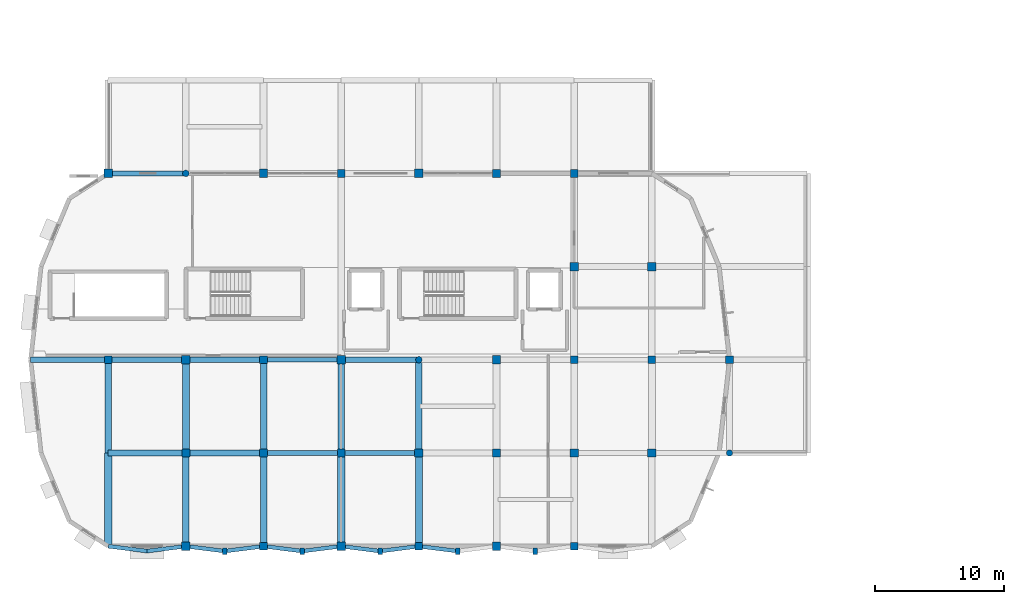
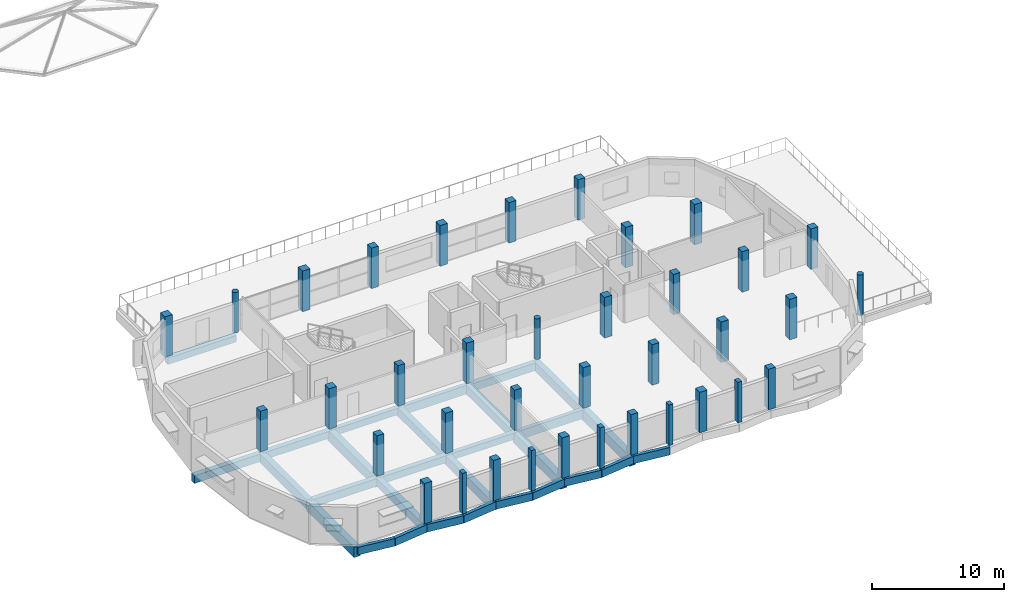
# One storey, part 1 of 19: 37 columns, 29 beams.
"""IFC4 building model written with IfcOpenShell, lengths in metres."""

from ifc_helpers import new_model, si_unit, direction, frame, origin, origin_2d, place, context, subcontext, project, spatial, rectangle, circle, extrude, material, material_profile, profile_set, type_object, element, save


model = new_model("IFC4")

# Units and contexts
model_context = context("Model", 3, precision=1e-05, world=origin(), true_north=direction((0.0, 1.0)))
body_context = subcontext(model_context, "Body", "Model", "MODEL_VIEW")
ifc_project = project(units=[si_unit("LENGTHUNIT", "METRE"), si_unit("AREAUNIT", "SQUARE_METRE"), si_unit("VOLUMEUNIT", "CUBIC_METRE"), si_unit("PLANEANGLEUNIT", "RADIAN"), si_unit("MASSUNIT", "GRAM", prefix="KILO")], contexts=[model_context])

# Site, building, storey
site_placement = place(None, origin())
site = spatial("IfcSite", under=ifc_project, at=site_placement, CompositionType="ELEMENT")
building_placement = place(site_placement, origin())
building = spatial("IfcBuilding", under=site, at=building_placement, Name="Dunvalen Ferry Terminal", CompositionType="ELEMENT")
storey_placement = place(building_placement, frame((0.0, 0.0, 13.580078125)))
storey = spatial("IfcBuildingStorey", under=building, at=storey_placement, Name="L03", CompositionType="ELEMENT", Elevation=13.580078125)

# Columns
ifc_material_1 = material(Name="Concrete C35/45", Category="concrete")
ifc_material_profile_1 = material_profile(ifc_material_1, circle(Radius=0.25, at=origin_2d()), Name="Concrete C35/45")
ifc_profile_set_1 = profile_set([ifc_material_profile_1], Name="Concrete C35/45")
column_type_1 = type_object("IfcColumnType", Name="STR-COL-D500", PredefinedType="COLUMN", material=ifc_profile_set_1)
for number, where, z_axis, x_axis, name in (
    (1, (24.0, 28.800048828125, 0.0), (0.0, 0.0, 1.0), (1.0, 0.0, 0.0), "L03 Maritime Wing Column 021"),
    (2, (42.0, 14.39990234375, 0.0), (0.0, 0.0, 1.0), (1.0, 0.0, 0.0), "L03 Maritime Wing Column 035"),
    (3, (66.0, 7.199951171875, 0.0), (0.0, 0.0, 1.0), (1.0, 0.0, 0.0), "L03 Maritime Wing Column 056"),
):
    element("IfcColumn", number, at=place(storey_placement, frame(where, z_axis=z_axis, x_axis=x_axis)), inside=storey, type_object=column_type_1, Name=name, PredefinedType="COLUMN", context=body_context, shape_type="SweptSolid", body=[
        extrude(circle(Radius=0.25, at=origin_2d()), origin(), (0.0, 0.0, 1.0), 3.739990234375),
    ])
ifc_material_2 = material(Name="Concrete C40/50", Category="concrete")
ifc_material_profile_2 = material_profile(ifc_material_2, rectangle(XDim=0.60009765625, YDim=0.60009765625, at=origin_2d()), Name="Concrete C40/50")
ifc_profile_set_2 = profile_set([ifc_material_profile_2], Name="Concrete C40/50")
column_type_2 = type_object("IfcColumnType", Name="STR-COL-RC600", PredefinedType="COLUMN", material=ifc_profile_set_2)
for number, where, z_axis, x_axis, name in (
    (4, (18.0, 14.39990234375, 0.0), (0.0, 0.0, 1.0), (1.0, 0.0, 0.0), "L03 Maritime Wing Column 015"),
    (5, (24.0, 7.199951171875, 0.0), (0.0, 0.0, 1.0), (1.0, 0.0, 0.0), "L03 Maritime Wing Column 019"),
    (6, (30.0, 0.0, 0.0), (0.0, 0.0, 1.0), (1.0, 0.0, 0.0), "L03 Maritime Wing Column 023"),
    (7, (30.0, 14.39990234375, 0.0), (0.0, 0.0, 1.0), (1.0, 0.0, 0.0), "L03 Maritime Wing Column 025"),
    (8, (36.0, 7.199951171875, 0.0), (0.0, 0.0, 1.0), (1.0, 0.0, 0.0), "L03 Maritime Wing Column 029"),
    (9, (36.0, 28.800048828125, 0.0), (0.0, 0.0, 1.0), (1.0, 0.0, 0.0), "L03 Maritime Wing Column 031"),
    (10, (42.0, 0.0, 0.0), (0.0, 0.0, 1.0), (1.0, 0.0, 0.0), "L03 Maritime Wing Column 033"),
    (11, (48.0, 7.199951171875, 0.0), (0.0, 0.0, 1.0), (1.0, 0.0, 0.0), "L03 Maritime Wing Column 039"),
    (12, (48.0, 28.800048828125, 0.0), (0.0, 0.0, 1.0), (1.0, 0.0, 0.0), "L03 Maritime Wing Column 041"),
    (13, (54.0, 0.0, 0.0), (0.0, 0.0, 1.0), (1.0, 0.0, 0.0), "L03 Maritime Wing Column 043"),
    (14, (54.0, 14.39990234375, 0.0), (0.0, 0.0, 1.0), (1.0, 0.0, 0.0), "L03 Maritime Wing Column 045"),
    (15, (54.0, 28.800048828125, 0.0), (0.0, 0.0, 1.0), (1.0, 0.0, 0.0), "L03 Maritime Wing Column 047"),
    (16, (60.0, 14.39990234375, 0.0), (0.0, 0.0, 1.0), (1.0, 0.0, 0.0), "L03 Maritime Wing Column 051"),
    (17, (66.0, 14.39990234375, 0.0), (0.0, 0.0, 1.0), (1.0, 0.0, 0.0), "L03 Maritime Wing Column 057"),
):
    element("IfcColumn", number, at=place(storey_placement, frame(where, z_axis=z_axis, x_axis=x_axis)), inside=storey, type_object=column_type_2, Name=name, PredefinedType="COLUMN", context=body_context, shape_type="SweptSolid", body=[
        extrude(rectangle(XDim=0.60009765625, YDim=0.60009765625, at=origin_2d()), origin(), (0.0, 0.0, 1.0), 3.739990234375),
    ])
ifc_material_profile_3 = material_profile(ifc_material_2, rectangle(XDim=0.64990234375, YDim=0.64990234375, at=origin_2d()), Name="Concrete C40/50")
ifc_profile_set_3 = profile_set([ifc_material_profile_3], Name="Concrete C40/50")
column_type_3 = type_object("IfcColumnType", Name="STR-COL-RC650", PredefinedType="COLUMN", material=ifc_profile_set_3)
for number, where, z_axis, x_axis, name in (
    (18, (18.0, 28.800048828125, 0.0), (0.0, 0.0, 1.0), (1.0, 0.0, 0.0), "L03 Maritime Wing Column 016"),
    (19, (24.0, 0.0, 0.0), (0.0, 0.0, 1.0), (1.0, 0.0, 0.0), "L03 Maritime Wing Column 018"),
    (20, (24.0, 14.39990234375, 0.0), (0.0, 0.0, 1.0), (1.0, 0.0, 0.0), "L03 Maritime Wing Column 020"),
    (21, (30.0, 7.199951171875, 0.0), (0.0, 0.0, 1.0), (1.0, 0.0, 0.0), "L03 Maritime Wing Column 024"),
    (22, (30.0, 28.800048828125, 0.0), (0.0, 0.0, 1.0), (1.0, 0.0, 0.0), "L03 Maritime Wing Column 026"),
    (23, (36.0, 0.0, 0.0), (0.0, 0.0, 1.0), (1.0, 0.0, 0.0), "L03 Maritime Wing Column 028"),
    (24, (36.0, 14.39990234375, 0.0), (0.0, 0.0, 1.0), (1.0, 0.0, 0.0), "L03 Maritime Wing Column 030"),
    (25, (42.0, 7.199951171875, 0.0), (0.0, 0.0, 1.0), (1.0, 0.0, 0.0), "L03 Maritime Wing Column 034"),
    (26, (42.0, 28.800048828125, 0.0), (0.0, 0.0, 1.0), (1.0, 0.0, 0.0), "L03 Maritime Wing Column 036"),
    (27, (48.0, 0.0, 0.0), (0.0, 0.0, 1.0), (1.0, 0.0, 0.0), "L03 Maritime Wing Column 038"),
    (28, (48.0, 14.39990234375, 0.0), (0.0, 0.0, 1.0), (1.0, 0.0, 0.0), "L03 Maritime Wing Column 040"),
    (29, (54.0, 7.199951171875, 0.0), (0.0, 0.0, 1.0), (1.0, 0.0, 0.0), "L03 Maritime Wing Column 044"),
    (30, (54.0, 21.60009765625, 0.0), (0.0, 0.0, 1.0), (1.0, 0.0, 0.0), "L03 Maritime Wing Column 046"),
    (31, (60.0, 7.199951171875, 0.0), (0.0, 0.0, 1.0), (1.0, 0.0, 0.0), "L03 Maritime Wing Column 050"),
    (32, (60.0, 21.60009765625, 0.0), (0.0, 0.0, 1.0), (1.0, 0.0, 0.0), "L03 Maritime Wing Column 052"),
):
    element("IfcColumn", number, at=place(storey_placement, frame(where, z_axis=z_axis, x_axis=x_axis)), inside=storey, type_object=column_type_3, Name=name, PredefinedType="COLUMN", context=body_context, shape_type="SweptSolid", body=[
        extrude(rectangle(XDim=0.64990234375, YDim=0.64990234375, at=origin_2d()), origin(), (0.0, 0.0, 1.0), 3.739990234375),
    ])
ifc_material_profile_4 = material_profile(ifc_material_2, rectangle(XDim=0.35009765625, YDim=0.5, at=origin_2d()), Name="Concrete C40/50")
ifc_profile_set_4 = profile_set([ifc_material_profile_4], Name="Concrete C40/50")
column_type_4 = type_object("IfcColumnType", Name="STR-PIL-350x500", PredefinedType="PILASTER", material=ifc_profile_set_4)
for number, where, z_axis, x_axis, name in (
    (33, (27.0, -0.3798828125, 0.0), (0.0, 0.0, 1.0), (1.0, 0.0, 0.0), "L03 South Forecourt Pilaster 01"),
    (34, (33.0, -0.3798828125, 0.0), (0.0, 0.0, 1.0), (1.0, 0.0, 0.0), "L03 South Forecourt Pilaster 02"),
    (35, (39.0, -0.3798828125, 0.0), (0.0, 0.0, 1.0), (1.0, 0.0, 0.0), "L03 South Forecourt Pilaster 03"),
    (36, (45.0, -0.3798828125, 0.0), (0.0, 0.0, 1.0), (1.0, 0.0, 0.0), "L03 South Forecourt Pilaster 04"),
    (37, (51.0, -0.3798828125, 0.0), (0.0, 0.0, 1.0), (1.0, 0.0, 0.0), "L03 South Forecourt Pilaster 05"),
):
    element("IfcColumn", number, at=place(storey_placement, frame(where, z_axis=z_axis, x_axis=x_axis)), inside=storey, type_object=column_type_4, Name=name, PredefinedType="PILASTER", context=body_context, shape_type="SweptSolid", body=[
        extrude(rectangle(XDim=0.35009765625, YDim=0.5, at=origin_2d()), origin(), (0.0, 0.0, 1.0), 3.739990234375),
    ])

# Beams
ifc_material_profile_5 = material_profile(ifc_material_1, rectangle(XDim=0.39990234375, YDim=0.60009765625, at=origin_2d()), Name="Concrete C35/45")
ifc_profile_set_5 = profile_set([ifc_material_profile_5], Name="Concrete C35/45")
beam_type_1 = type_object("IfcBeamType", Name="STR-BM-RCB600", PredefinedType="BEAM", material=ifc_profile_set_5)
for number, where, z_axis, x_axis, name in (
    (38, (30.0, 7.199951171875, -0.56005859375), (1.0, 0.0, 0.0), (0.0, 1.0, 0.0), "L03 V5P0 Primary Beam X-010"),
    (39, (24.0, 14.39990234375, -0.56005859375), (1.0, 0.0, 0.0), (0.0, 1.0, 0.0), "L03 V5P0 Primary Beam X-018"),
    (40, (18.0, 28.800048828125, -0.56005859375), (1.0, 0.0, 0.0), (0.0, 1.0, 0.0), "L03 V5P0 Primary Beam X-026"),
):
    element("IfcBeam", number, at=place(storey_placement, frame(where, z_axis=z_axis, x_axis=x_axis)), inside=storey, type_object=beam_type_1, Name=name, PredefinedType="BEAM", context=body_context, shape_type="SweptSolid", body=[
        extrude(rectangle(XDim=0.39990234375, YDim=0.60009765625, at=origin_2d()), origin(), (0.0, 0.0, 1.0), 6.0),
    ])
ifc_material_profile_6 = material_profile(ifc_material_2, rectangle(XDim=0.449951171875, YDim=0.64990234375, at=origin_2d()), Name="Concrete C40/50")
ifc_profile_set_6 = profile_set([ifc_material_profile_6], Name="Concrete C40/50")
beam_type_2 = type_object("IfcBeamType", Name="STR-BM-RCB650W", PredefinedType="BEAM", material=ifc_profile_set_6)
for number, where, z_axis, x_axis, name in (
    (41, (24.0, 7.199951171875, -0.5849609375), (1.0, 0.0, 0.0), (0.0, 1.0, 0.0), "L03 V5P0 Primary Beam X-009"),
    (42, (18.0, 14.39990234375, -0.5849609375), (1.0, 0.0, 0.0), (0.0, 1.0, 0.0), "L03 V5P0 Primary Beam X-017"),
):
    element("IfcBeam", number, at=place(storey_placement, frame(where, z_axis=z_axis, x_axis=x_axis)), inside=storey, type_object=beam_type_2, Name=name, PredefinedType="BEAM", context=body_context, shape_type="SweptSolid", body=[
        extrude(rectangle(XDim=0.449951171875, YDim=0.64990234375, at=origin_2d()), origin(), (0.0, 0.0, 1.0), 6.0),
    ])
ifc_material_profile_7 = material_profile(ifc_material_2, rectangle(XDim=0.449951171875, YDim=0.699951171875, at=origin_2d()), Name="Concrete C40/50")
ifc_profile_set_7 = profile_set([ifc_material_profile_7], Name="Concrete C40/50")
beam_type_3 = type_object("IfcBeamType", Name="STR-BM-RCB700", PredefinedType="BEAM", material=ifc_profile_set_7)
for number, where, z_axis, x_axis, name in (
    (43, (18.0, 7.199951171875, -0.610107421875), (1.0, 0.0, 0.0), (0.0, 1.0, 0.0), "L03 V5P0 Primary Beam X-008"),
    (44, (12.0, 14.39990234375, -0.610107421875), (1.0, 0.0, 0.0), (0.0, 1.0, 0.0), "L03 V5P0 Primary Beam X-016"),
    (45, (36.0, 14.39990234375, -0.610107421875), (1.0, 0.0, 0.0), (0.0, 1.0, 0.0), "L03 V5P0 Primary Beam X-020"),
):
    element("IfcBeam", number, at=place(storey_placement, frame(where, z_axis=z_axis, x_axis=x_axis)), inside=storey, type_object=beam_type_3, Name=name, PredefinedType="BEAM", context=body_context, shape_type="SweptSolid", body=[
        extrude(rectangle(XDim=0.449951171875, YDim=0.699951171875, at=origin_2d()), origin(), (0.0, 0.0, 1.0), 6.0),
    ])
ifc_material_profile_8 = material_profile(ifc_material_2, rectangle(XDim=0.5, YDim=0.75, at=origin_2d()), Name="Concrete C40/50")
ifc_profile_set_8 = profile_set([ifc_material_profile_8], Name="Concrete C40/50")
beam_type_4 = type_object("IfcBeamType", Name="STR-BM-RCB750", PredefinedType="BEAM", material=ifc_profile_set_8)
for number, where, z_axis, x_axis, name in (
    (46, (24.0, 0.0, -0.635009765625), (0.0, 1.0, 0.0), (-1.0, 0.0, 0.0), "L03 V5P0 Primary Girder Y-035"),
    (47, (30.0, 7.199951171875, -0.635009765625), (0.0, 1.0, 0.0), (-1.0, 0.0, 0.0), "L03 V5P0 Primary Girder Y-038"),
):
    element("IfcBeam", number, at=place(storey_placement, frame(where, z_axis=z_axis, x_axis=x_axis)), inside=storey, type_object=beam_type_4, Name=name, PredefinedType="BEAM", context=body_context, shape_type="SweptSolid", body=[
        extrude(rectangle(XDim=0.5, YDim=0.75, at=origin_2d()), origin(), (0.0, 0.0, 1.0), 7.199951171875),
    ])
ifc_material_profile_9 = material_profile(ifc_material_2, rectangle(XDim=0.5, YDim=0.85009765625, at=origin_2d()), Name="Concrete C40/50")
ifc_profile_set_9 = profile_set([ifc_material_profile_9], Name="Concrete C40/50")
beam_type_5 = type_object("IfcBeamType", Name="STR-BM-RCG850", PredefinedType="BEAM", material=ifc_profile_set_9)
for number, where, z_axis, x_axis, name in (
    (48, (18.0, 7.199951171875, -0.68505859375), (0.0, 1.0, 0.0), (-1.0, 0.0, 0.0), "L03 V5P0 Primary Girder Y-034"),
    (49, (30.0, 0.0, -0.68505859375), (0.0, 1.0, 0.0), (-1.0, 0.0, 0.0), "L03 V5P0 Primary Girder Y-037"),
    (50, (36.0, 7.199951171875, -0.68505859375), (0.0, 1.0, 0.0), (-1.0, 0.0, 0.0), "L03 V5P0 Primary Girder Y-040"),
    (51, (42.0, 7.199951171875, -0.68505859375), (0.0, 1.0, 0.0), (-1.0, 0.0, 0.0), "L03 V5P0 Primary Girder Y-043"),
):
    element("IfcBeam", number, at=place(storey_placement, frame(where, z_axis=z_axis, x_axis=x_axis)), inside=storey, type_object=beam_type_5, Name=name, PredefinedType="BEAM", context=body_context, shape_type="SweptSolid", body=[
        extrude(rectangle(XDim=0.5, YDim=0.85009765625, at=origin_2d()), origin(), (0.0, 0.0, 1.0), 7.199951171875),
    ])
ifc_material_profile_10 = material_profile(ifc_material_2, rectangle(XDim=0.550048828125, YDim=0.949951171875, at=origin_2d()), Name="Concrete C40/50")
ifc_profile_set_10 = profile_set([ifc_material_profile_10], Name="Concrete C40/50")
beam_type_6 = type_object("IfcBeamType", Name="STR-BM-RCG950", PredefinedType="BEAM", material=ifc_profile_set_10)
for number, where, z_axis, x_axis, name in (
    (52, (18.0, 0.0, -0.735107421875), (0.0, 1.0, 0.0), (-1.0, 0.0, 0.0), "L03 V5P0 Primary Girder Y-033"),
    (53, (24.0, 7.199951171875, -0.735107421875), (0.0, 1.0, 0.0), (-1.0, 0.0, 0.0), "L03 V5P0 Primary Girder Y-036"),
    (54, (36.0, 0.0, -0.735107421875), (0.0, 1.0, 0.0), (-1.0, 0.0, 0.0), "L03 V5P0 Primary Girder Y-039"),
    (55, (42.0, 0.0, -0.735107421875), (0.0, 1.0, 0.0), (-1.0, 0.0, 0.0), "L03 V5P0 Primary Girder Y-042"),
):
    element("IfcBeam", number, at=place(storey_placement, frame(where, z_axis=z_axis, x_axis=x_axis)), inside=storey, type_object=beam_type_6, Name=name, PredefinedType="BEAM", context=body_context, shape_type="SweptSolid", body=[
        extrude(rectangle(XDim=0.550048828125, YDim=0.949951171875, at=origin_2d()), origin(), (0.0, 0.0, 1.0), 7.199951171875),
    ])
ifc_material_profile_11 = material_profile(ifc_material_2, rectangle(XDim=0.300048828125, YDim=0.699951171875, at=origin_2d()), Name="Concrete C40/50")
ifc_profile_set_11 = profile_set([ifc_material_profile_11], Name="Concrete C40/50")
beam_type_7 = type_object("IfcBeamType", Name="STR-BM-RCSP700", PredefinedType="SPANDREL", material=ifc_profile_set_11)
for number, where, z_axis, x_axis, name in (
    (56, (18.0, 0.0, -0.610107421875), (0.992077869489, -0.12562444376, 0.0), (0.12562444376, 0.992077869489, 0.0), "L03 Forecourt Pilaster Spandrel Tie 01.1"),
    (57, (21.0, -0.3798828125, -0.610107421875), (0.992077869489, 0.12562444376, 0.0), (-0.12562444376, 0.992077869489, 0.0), "L03 Forecourt Pilaster Spandrel Tie 01.2"),
    (58, (24.0, 0.0, -0.610107421875), (0.992077869489, -0.12562444376, 0.0), (0.12562444376, 0.992077869489, 0.0), "L03 Forecourt Pilaster Spandrel Tie 02.1"),
    (59, (27.0, -0.3798828125, -0.610107421875), (0.992077869489, 0.12562444376, 0.0), (-0.12562444376, 0.992077869489, 0.0), "L03 Forecourt Pilaster Spandrel Tie 02.2"),
    (60, (30.0, 0.0, -0.610107421875), (0.992077869489, -0.12562444376, 0.0), (0.12562444376, 0.992077869489, 0.0), "L03 Forecourt Pilaster Spandrel Tie 03.1"),
    (61, (33.0, -0.3798828125, -0.610107421875), (0.992077869489, 0.12562444376, 0.0), (-0.12562444376, 0.992077869489, 0.0), "L03 Forecourt Pilaster Spandrel Tie 03.2"),
    (62, (36.0, 0.0, -0.610107421875), (0.992077869489, -0.12562444376, 0.0), (0.12562444376, 0.992077869489, 0.0), "L03 Forecourt Pilaster Spandrel Tie 04.1"),
    (63, (39.0, -0.3798828125, -0.610107421875), (0.992077869489, 0.12562444376, 0.0), (-0.12562444376, 0.992077869489, 0.0), "L03 Forecourt Pilaster Spandrel Tie 04.2"),
    (64, (42.0, 0.0, -0.610107421875), (0.992077869489, -0.12562444376, 0.0), (0.12562444376, 0.992077869489, 0.0), "L03 Forecourt Pilaster Spandrel Tie 05.1"),
):
    element("IfcBeam", number, at=place(storey_placement, frame(where, z_axis=z_axis, x_axis=x_axis)), inside=storey, type_object=beam_type_7, Name=name, PredefinedType="SPANDREL", context=body_context, shape_type="SweptSolid", body=[
        extrude(rectangle(XDim=0.300048828125, YDim=0.699951171875, at=origin_2d()), origin(), (0.0, 0.0, 1.0), 3.02392578125),
    ])
ifc_material_profile_12 = material_profile(ifc_material_2, rectangle(XDim=0.35009765625, YDim=0.800048828125, at=origin_2d()), Name="Concrete C40/50")
ifc_profile_set_12 = profile_set([ifc_material_profile_12], Name="Concrete C40/50")
beam_type_8 = type_object("IfcBeamType", Name="STR-BM-RCSP800", PredefinedType="SPANDREL", material=ifc_profile_set_12)
for number, where, z_axis, x_axis, name in (
    (65, (36.0, 7.199951171875, -0.66015625), (1.0, 0.0, 0.0), (0.0, 1.0, 0.0), "L03 V5P0 Primary Beam X-011"),
    (66, (30.0, 14.39990234375, -0.66015625), (1.0, 0.0, 0.0), (0.0, 1.0, 0.0), "L03 V5P0 Primary Beam X-019"),
):
    element("IfcBeam", number, at=place(storey_placement, frame(where, z_axis=z_axis, x_axis=x_axis)), inside=storey, type_object=beam_type_8, Name=name, PredefinedType="SPANDREL", context=body_context, shape_type="SweptSolid", body=[
        extrude(rectangle(XDim=0.35009765625, YDim=0.800048828125, at=origin_2d()), origin(), (0.0, 0.0, 1.0), 6.0),
    ])

save(model, "model.ifc")
